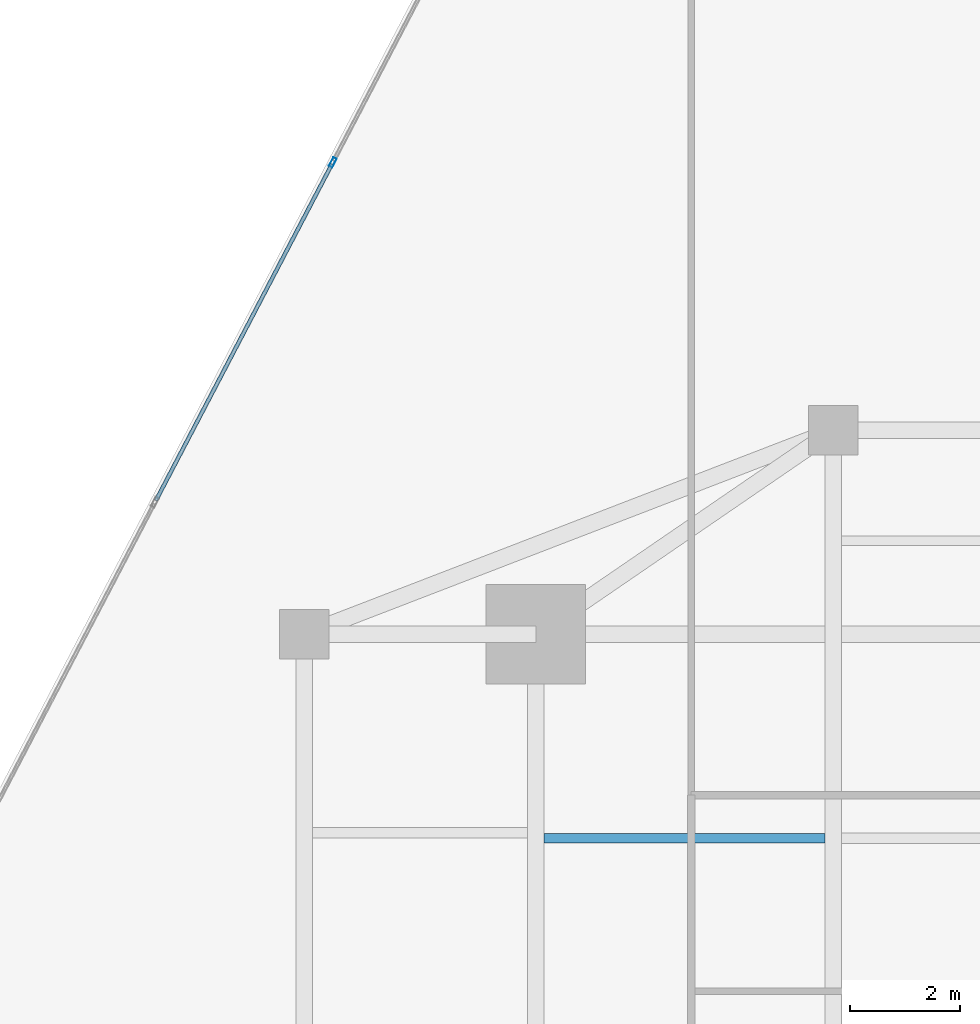
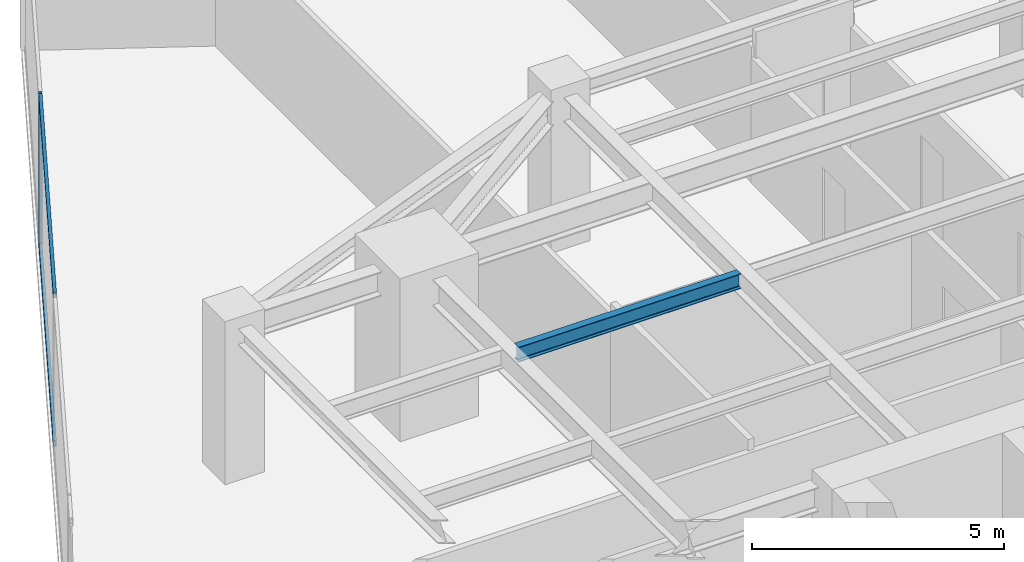
# One storey, part 14 of 27: 3 members, 1 beam, 1 element without a shape of its own.
"""IFC4 building model written with IfcOpenShell, lengths in metres."""

from ifc_helpers import new_model, si_unit, direction, frame, origin, origin_2d, place, context, subcontext, project, spatial, hollow_rectangle, i_section, extrude, source, transform, mapped, material, material_profile, profile_set, type_object, type_shapes, element, aggregate, save


model = new_model("IFC4")

# Units and contexts
model_context = context("Model", 3, precision=1e-05, world=origin(), true_north=direction((0.0, 1.0)))
body_context = subcontext(model_context, "Body", "Model", "MODEL_VIEW")
ifc_project = project(units=[si_unit("LENGTHUNIT", "METRE"), si_unit("AREAUNIT", "SQUARE_METRE"), si_unit("VOLUMEUNIT", "CUBIC_METRE"), si_unit("PLANEANGLEUNIT", "RADIAN"), si_unit("MASSUNIT", "GRAM", prefix="KILO")], contexts=[model_context])

# Site, building, storey
site_placement = place(None, origin())
site = spatial("IfcSite", under=ifc_project, at=site_placement, CompositionType="ELEMENT")
building_placement = place(site_placement, origin())
building = spatial("IfcBuilding", under=site, at=building_placement, Name="Krantzveldt Concourse Tower", CompositionType="ELEMENT")
storey_placement = place(building_placement, frame((0.0, 0.0, 154.10009765625)))
storey = spatial("IfcBuildingStorey", under=building, at=storey_placement, Name="L37", CompositionType="ELEMENT", Elevation=154.10009765625)

# Beam
ifc_material_1 = material(Name="Steel S355JR", Category="steel")
ifc_material_profile_1 = material_profile(ifc_material_1, i_section(OverallWidth=0.169921875, OverallDepth=0.360107421875, WebThickness=0.008056640625, FlangeThickness=0.0126953125, FilletRadius=0.01806640625, at=origin_2d()), Name="Steel S355JR", Category="steel")
ifc_profile_set_1 = profile_set([ifc_material_profile_1], Name="Steel S355JR - IPE 360")
beam_type = type_object("IfcBeamType", Name="BM-J-IPE360", PredefinedType="JOIST", material=ifc_profile_set_1)
shared_shape_1 = source(origin(), body_context, "Body", "SweptSolid", [
    extrude(i_section(OverallWidth=0.169921875, OverallDepth=0.360107421875, WebThickness=0.008056640625, FlangeThickness=0.0126953125, FilletRadius=0.01806640625, at=origin_2d()), origin(), (0.0, 0.0, 1.0), 5.099853515625),
])
type_shapes(beam_type, [shared_shape_1])
beam_placement = place(storey_placement, frame((25.35009765625, 33.800048828125, 3.489990234375), z_axis=(1.0, 0.0, 0.0), x_axis=(0.0, 1.0, 0.0)))
element("IfcBeam", 1, at=beam_placement, inside=storey, type_object=beam_type, Name="L37 Secondary Floor Joist JN-W2", PredefinedType="JOIST", context=body_context, shape_type="MappedRepresentation", body=[
    mapped(shared_shape_1, transform((0.0, 0.0, 0.0), x_axis=(1.0, 0.0, 0.0), y_axis=(0.0, 1.0, 0.0), z_axis=(0.0, 0.0, 1.0), scale=1.0)),
])

# Curtain wall, members
ifc_material_2 = material(Name="Anodised aluminium 6063-T6", Category="aluminium")
curtain_wall_type = type_object("IfcCurtainWallType", Name="CW3", PredefinedType="USERDEFINED", material=ifc_material_2)
curtain_wall_placement = place(storey_placement, origin())
curtain_wall = element("IfcCurtainWall", 2, at=curtain_wall_placement, inside=storey, type_object=curtain_wall_type, Name="CW-L37-F01", ObjectType="UNITISED CURTAIN WALL", PredefinedType="USERDEFINED")
ifc_material_profile_2 = material_profile(ifc_material_2, hollow_rectangle(XDim=0.070068359375, YDim=0.179931640625, WallThickness=0.0048828125, at=origin_2d()), Name="Anodised aluminium 6063-T6", Category="aluminium")
ifc_profile_set_2 = profile_set([ifc_material_profile_2], Name="Anodised aluminium 6063-T6 - ALU-MULL 180x70x5")
member_type_1 = type_object("IfcMemberType", Name="CW-MUL-180", PredefinedType="MULLION", material=ifc_profile_set_2)
shared_shape_2 = source(origin(), body_context, "Body", "SweptSolid", [
    extrude(hollow_rectangle(XDim=0.070068359375, YDim=0.179931640625, WallThickness=0.0048828125, at=origin_2d()), origin(), (0.0, 0.0, 1.0), 3.669921875),
])
type_shapes(member_type_1, [shared_shape_2])
member_1_placement = place(storey_placement, frame((21.51708984375, 46.062744140625, 0.0), z_axis=(0.0, 0.0, 1.0), x_axis=(0.886001265743, -0.463682819502, 0.0)))
member_1 = element("IfcMember", 3, at=member_1_placement, type_object=member_type_1, Name="CW-Z34 mullion 2", PredefinedType="MULLION", context=body_context, shape_type="MappedRepresentation", body=[
    mapped(shared_shape_2, transform((0.0, 0.0, 0.0), x_axis=(1.0, 0.0, 0.0), y_axis=(0.0, 1.0, 0.0), z_axis=(0.0, 0.0, 1.0), scale=1.0)),
])
ifc_material_profile_3 = material_profile(ifc_material_2, hollow_rectangle(XDim=0.070068359375, YDim=0.139892578125, WallThickness=0.0048828125, at=origin_2d()), Name="Anodised aluminium 6063-T6", Category="aluminium")
ifc_profile_set_3 = profile_set([ifc_material_profile_3], Name="Anodised aluminium 6063-T6 - ALU-TRAN 140x70x5")
member_type_2 = type_object("IfcMemberType", Name="CW-TRN-150", PredefinedType="USERDEFINED", material=ifc_profile_set_3)
shared_shape_3 = source(origin(), body_context, "Body", "SweptSolid", [
    extrude(hollow_rectangle(XDim=0.070068359375, YDim=0.139892578125, WallThickness=0.0048828125, at=origin_2d()), origin(), (0.0, 0.0, 1.0), 6.889892578125),
])
type_shapes(member_type_2, [shared_shape_3])
member_2_placement = place(storey_placement, frame((21.5009765625, 46.03173828125, 0.034912109375), z_axis=(-0.46369184059, -0.885996544559, 0.0), x_axis=(0.885996544559, -0.46369184059, 0.0)))
member_2 = element("IfcMember", 4, at=member_2_placement, type_object=member_type_2, Name="CW-Z34 transom 2.1", ObjectType="TRANSOM", PredefinedType="USERDEFINED", context=body_context, shape_type="MappedRepresentation", body=[
    mapped(shared_shape_3, transform((0.0, 0.0, 0.0), x_axis=(1.0, 0.0, 0.0), y_axis=(0.0, 1.0, 0.0), z_axis=(0.0, 0.0, 1.0), scale=1.0)),
])
member_3_placement = place(storey_placement, frame((21.5009765625, 46.03173828125, 3.635009765625), z_axis=(-0.46369184059, -0.885996544559, 0.0), x_axis=(0.885996544559, -0.46369184059, 0.0)))
member_3 = element("IfcMember", 5, at=member_3_placement, type_object=member_type_2, Name="CW-Z34 transom 2.2", ObjectType="TRANSOM", PredefinedType="USERDEFINED", context=body_context, shape_type="MappedRepresentation", body=[
    mapped(shared_shape_3, transform((0.0, 0.0, 0.0), x_axis=(1.0, 0.0, 0.0), y_axis=(0.0, 1.0, 0.0), z_axis=(0.0, 0.0, 1.0), scale=1.0)),
])
aggregate(curtain_wall, [member_1, member_2, member_3])

save(model, "model.ifc")
